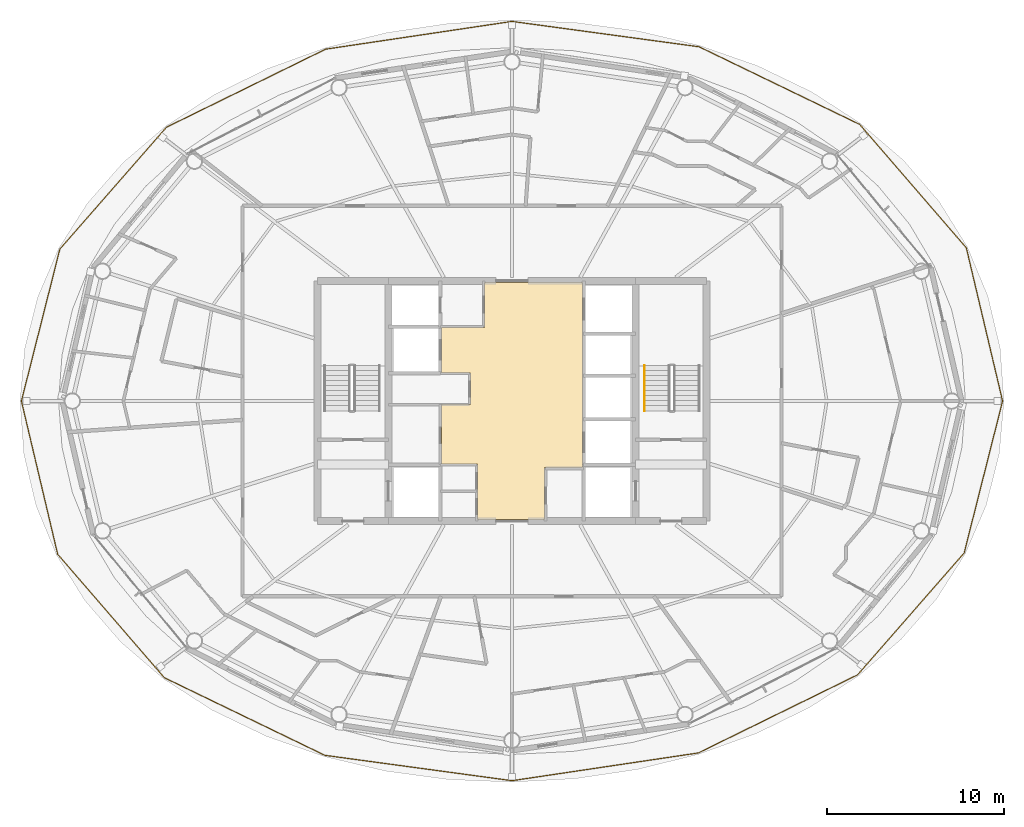
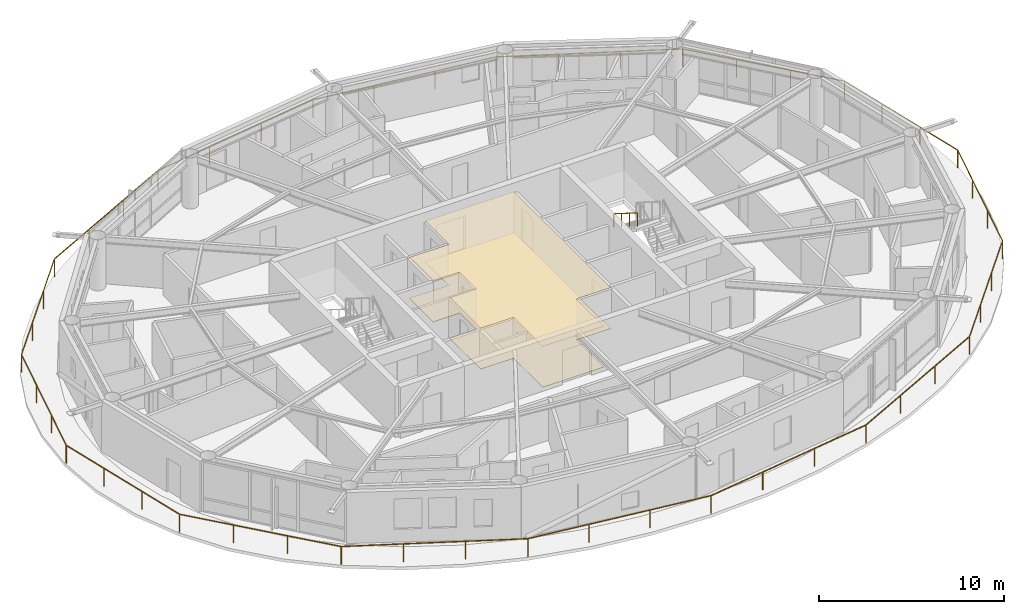
# One storey, part 22 of 23: 2 coverings, 2 railings.
"""IFC4 building model written with IfcOpenShell, lengths in metres."""

from ifc_helpers import new_model, si_unit, direction, frame, origin, origin_2d, place, context, subcontext, project, spatial, polyline, rectangle, outline, extrude, material, layer, layer_set, type_object, element, save


model = new_model("IFC4")

# Units and contexts
model_context = context("Model", 3, precision=1e-05, world=origin(), true_north=direction((0.0, 1.0)))
body_context = subcontext(model_context, "Body", "Model", "MODEL_VIEW")
ifc_project = project(units=[si_unit("LENGTHUNIT", "METRE"), si_unit("AREAUNIT", "SQUARE_METRE"), si_unit("VOLUMEUNIT", "CUBIC_METRE"), si_unit("PLANEANGLEUNIT", "RADIAN"), si_unit("MASSUNIT", "GRAM", prefix="KILO")], contexts=[model_context])

# Site, building, storey
site_placement = place(None, origin())
site = spatial("IfcSite", under=ifc_project, at=site_placement, CompositionType="ELEMENT")
building_placement = place(site_placement, origin())
building = spatial("IfcBuilding", under=site, at=building_placement, Name="Sarneth Arch Tower", CompositionType="ELEMENT")
storey_placement = place(building_placement, frame((0.0, 0.0, 220.800048828125)))
storey = spatial("IfcBuildingStorey", under=building, at=storey_placement, Name="L56", CompositionType="ELEMENT", Elevation=220.800048828125)

# Coverings
ifc_material_1 = material(Name="Perforated acoustic gypsum ceiling board")
ifc_layer_1 = layer(ifc_material_1, 0.02490234375)
ifc_layer_set_1 = layer_set([ifc_layer_1], Name="Perforated acoustic gypsum ceiling board")
covering_type_1 = type_object("IfcCoveringType", Name="COV-CEIL-GYP", PredefinedType="CEILING", material=ifc_layer_set_1)
covering_1_placement = place(storey_placement, frame((0.0, 0.0, 2.68994140625)))
element("IfcCovering", 1, at=covering_1_placement, inside=storey, type_object=covering_type_1, Name="L56 Lift lobby acoustic ceiling", PredefinedType="CEILING", context=body_context, shape_type="SweptSolid", body=[
    extrude(outline(polyline([(49.85009765625, 38.25), (49.85009765625, 35.300048828125), (46.050048828125, 35.300048828125), (46.050048828125, 38.449951171875), (44.0, 38.449951171875), (44.0, 41.800048828125), (45.64990234375, 41.800048828125), (45.64990234375, 43.580078125), (44.0, 43.580078125), (44.0, 46.14990234375), (46.449951171875, 46.14990234375), (46.449951171875, 48.699951171875), (52.0, 48.699951171875), (52.0, 38.25), (49.85009765625, 38.25)])), origin(), (0.0, 0.0, 1.0), 0.030029296875),
])
ifc_material_2 = material(Name="Honed granite stone flooring", Category="masonry")
ifc_layer_2 = layer(ifc_material_2, 0.030029296875)
ifc_layer_set_2 = layer_set([ifc_layer_2], Name="Honed granite stone flooring")
covering_type_2 = type_object("IfcCoveringType", Name="COV-FLR-STONE", PredefinedType="FLOORING", material=ifc_layer_set_2)
covering_2_placement = place(storey_placement, origin())
element("IfcCovering", 2, at=covering_2_placement, inside=storey, type_object=covering_type_2, Name="L56 Lift lobby granite flooring", PredefinedType="FLOORING", context=body_context, shape_type="SweptSolid", body=[
    extrude(outline(polyline([(49.85009765625, 38.25), (49.85009765625, 35.300048828125), (46.050048828125, 35.300048828125), (46.050048828125, 38.449951171875), (44.0, 38.449951171875), (44.0, 41.800048828125), (45.64990234375, 41.800048828125), (45.64990234375, 43.580078125), (44.0, 43.580078125), (44.0, 46.14990234375), (46.449951171875, 46.14990234375), (46.449951171875, 48.699951171875), (52.0, 48.699951171875), (52.0, 38.25), (49.85009765625, 38.25)])), origin(), (0.0, 0.0, 1.0), 0.030029296875),
])

# Railings
ifc_material_3 = material(Name="Laminated structural glass infill with Stainless Steel 316 top rail and posts", Category="steel")
railing_type_1 = type_object("IfcRailingType", Name="RAIL-BALC-1200", PredefinedType="BALUSTRADE", material=ifc_material_3)
railing_1_placement = place(storey_placement, frame((75.764892578125, 42.0, 0.0)))
element("IfcRailing", 3, at=railing_1_placement, inside=storey, type_object=railing_type_1, Name="L56 Helical balcony glass balustrade", PredefinedType="BALUSTRADE", context=body_context, shape_type="SweptSolid", body=[
    extrude(rectangle(XDim=0.048095703125, YDim=0.048095703125, at=origin_2d()), frame((0.0, 0.0, 1.17578125), z_axis=(-0.230297719561, 0.973120218865, 0.0), x_axis=(-0.973120218865, -0.230297719561, 0.0)), (0.0, 0.0, 1.0), 8.9091796875),
    extrude(rectangle(XDim=0.048095703125, YDim=0.048095703125, at=origin_2d()), frame((-2.0517578125, 8.669677734375, 1.17578125), z_axis=(-0.653765108362, 0.756697550603, 0.0), x_axis=(-0.756697550603, -0.653765108362, 0.0)), (0.0, 0.0, 1.0), 9.233642578125),
    extrude(rectangle(XDim=0.048095703125, YDim=0.048095703125, at=origin_2d()), frame((-8.08837890625, 15.65673828125, 1.17578125), z_axis=(-0.90031277699, 0.435243499191, 0.0), x_axis=(-0.435243499191, -0.90031277699, 0.0)), (0.0, 0.0, 1.0), 10.0927734375),
    extrude(rectangle(XDim=0.048095703125, YDim=0.048095703125, at=origin_2d()), frame((-17.175048828125, 20.049560546875, 1.17578125), z_axis=(-0.990927499257, 0.134397511945, 0.0), x_axis=(-0.134397511945, -0.990927499257, 0.0)), (0.0, 0.0, 1.0), 10.686767578125),
    extrude(rectangle(XDim=0.048095703125, YDim=0.048095703125, at=origin_2d()), frame((-27.764892578125, 21.48583984375, 1.17578125), z_axis=(-0.989077966916, -0.147393267696, 0.0), x_axis=(0.147393267696, -0.989077966916, 0.0)), (0.0, 0.0, 1.0), 10.663818359375),
    extrude(rectangle(XDim=0.048095703125, YDim=0.048095703125, at=origin_2d()), frame((-38.312255859375, 19.9140625, 1.17578125), z_axis=(-0.897846224346, -0.440309161189, 0.0), x_axis=(0.440309161189, -0.897846224346, 0.0)), (0.0, 0.0, 1.0), 10.033203125),
    extrude(rectangle(XDim=0.048095703125, YDim=0.048095703125, at=origin_2d()), frame((-47.320556640625, 15.496337890625, 1.17578125), z_axis=(-0.658470652881, -0.752606403969, 0.0), x_axis=(0.752606403969, -0.658470652881, 0.0)), (0.0, 0.0, 1.0), 9.162841796875),
    extrude(rectangle(XDim=0.048095703125, YDim=0.048095703125, at=origin_2d()), frame((-53.35400390625, 8.600341796875, 1.17578125), z_axis=(-0.245260794692, -0.969457138087, 0.0), x_axis=(0.969457138087, -0.245260794692, 0.0)), (0.0, 0.0, 1.0), 8.871337890625),
    extrude(rectangle(XDim=0.048095703125, YDim=0.048095703125, at=origin_2d()), frame((-55.52978515625, 0.0, 1.17578125), z_axis=(0.230297719561, -0.973120218865, 0.0), x_axis=(0.973120218865, 0.230297719561, 0.0)), (0.0, 0.0, 1.0), 8.9091796875),
    extrude(rectangle(XDim=0.048095703125, YDim=0.048095703125, at=origin_2d()), frame((-53.47802734375, -8.669677734375, 1.17578125), z_axis=(0.653765108362, -0.756697550603, 0.0), x_axis=(0.756697550603, 0.653765108362, 0.0)), (0.0, 0.0, 1.0), 9.233642578125),
    extrude(rectangle(XDim=0.048095703125, YDim=0.048095703125, at=origin_2d()), frame((-47.44140625, -15.65673828125, 1.17578125), z_axis=(0.90031277699, -0.435243499191, 0.0), x_axis=(0.435243499191, 0.90031277699, 0.0)), (0.0, 0.0, 1.0), 10.0927734375),
    extrude(rectangle(XDim=0.048095703125, YDim=0.048095703125, at=origin_2d()), frame((-38.354736328125, -20.049560546875, 1.17578125), z_axis=(0.990927499257, -0.134397511945, 0.0), x_axis=(0.134397511945, 0.990927499257, 0.0)), (0.0, 0.0, 1.0), 10.686767578125),
    extrude(rectangle(XDim=0.048095703125, YDim=0.048095703125, at=origin_2d()), frame((-27.764892578125, -21.48583984375, 1.17578125), z_axis=(0.989077966916, 0.147393267696, 0.0), x_axis=(-0.147393267696, 0.989077966916, 0.0)), (0.0, 0.0, 1.0), 10.663818359375),
    extrude(rectangle(XDim=0.048095703125, YDim=0.048095703125, at=origin_2d()), frame((-17.217529296875, -19.9140625, 1.17578125), z_axis=(0.897846224346, 0.440309161189, 0.0), x_axis=(-0.440309161189, 0.897846224346, 0.0)), (0.0, 0.0, 1.0), 10.033203125),
    extrude(rectangle(XDim=0.048095703125, YDim=0.048095703125, at=origin_2d()), frame((-8.209228515625, -15.496337890625, 1.17578125), z_axis=(0.658470652881, 0.752606403969, 0.0), x_axis=(-0.752606403969, 0.658470652881, 0.0)), (0.0, 0.0, 1.0), 9.162841796875),
    extrude(rectangle(XDim=0.048095703125, YDim=0.048095703125, at=origin_2d()), frame((-2.17578125, -8.600341796875, 1.17578125), z_axis=(0.245260794692, 0.969457138087, 0.0), x_axis=(-0.969457138087, 0.245260794692, 0.0)), (0.0, 0.0, 1.0), 8.871337890625),
    extrude(rectangle(XDim=0.0419921875, YDim=0.0419921875, at=origin_2d()), origin(), (0.0, 0.0, 1.0), 1.15185546875),
    extrude(rectangle(XDim=0.0419921875, YDim=0.0419921875, at=origin_2d()), frame((-0.683837890625, 2.889892578125, 0.0)), (0.0, 0.0, 1.0), 1.15185546875),
    extrude(rectangle(XDim=0.0419921875, YDim=0.0419921875, at=origin_2d()), frame((-1.367919921875, 5.77978515625, 0.0)), (0.0, 0.0, 1.0), 1.15185546875),
    extrude(rectangle(XDim=0.0419921875, YDim=0.0419921875, at=origin_2d()), frame((-2.0517578125, 8.669677734375, 0.0)), (0.0, 0.0, 1.0), 1.15185546875),
    extrude(rectangle(XDim=0.0419921875, YDim=0.0419921875, at=origin_2d()), frame((-4.06396484375, 10.998779296875, 0.0)), (0.0, 0.0, 1.0), 1.15185546875),
    extrude(rectangle(XDim=0.0419921875, YDim=0.0419921875, at=origin_2d()), frame((-6.076171875, 13.32763671875, 0.0)), (0.0, 0.0, 1.0), 1.15185546875),
    extrude(rectangle(XDim=0.0419921875, YDim=0.0419921875, at=origin_2d()), frame((-8.08837890625, 15.65673828125, 0.0)), (0.0, 0.0, 1.0), 1.15185546875),
    extrude(rectangle(XDim=0.0419921875, YDim=0.0419921875, at=origin_2d()), frame((-11.1171875, 17.12109375, 0.0)), (0.0, 0.0, 1.0), 1.15185546875),
    extrude(rectangle(XDim=0.0419921875, YDim=0.0419921875, at=origin_2d()), frame((-14.146240234375, 18.585205078125, 0.0)), (0.0, 0.0, 1.0), 1.15185546875),
    extrude(rectangle(XDim=0.0419921875, YDim=0.0419921875, at=origin_2d()), frame((-17.175048828125, 20.049560546875, 0.0)), (0.0, 0.0, 1.0), 1.15185546875),
    extrude(rectangle(XDim=0.0419921875, YDim=0.0419921875, at=origin_2d()), frame((-20.705078125, 20.5283203125, 0.0)), (0.0, 0.0, 1.0), 1.15185546875),
    extrude(rectangle(XDim=0.0419921875, YDim=0.0419921875, at=origin_2d()), frame((-24.23486328125, 21.007080078125, 0.0)), (0.0, 0.0, 1.0), 1.15185546875),
    extrude(rectangle(XDim=0.0419921875, YDim=0.0419921875, at=origin_2d()), frame((-27.764892578125, 21.48583984375, 0.0)), (0.0, 0.0, 1.0), 1.15185546875),
    extrude(rectangle(XDim=0.0419921875, YDim=0.0419921875, at=origin_2d()), frame((-31.28076171875, 20.9619140625, 0.0)), (0.0, 0.0, 1.0), 1.15185546875),
    extrude(rectangle(XDim=0.0419921875, YDim=0.0419921875, at=origin_2d()), frame((-34.79638671875, 20.43798828125, 0.0)), (0.0, 0.0, 1.0), 1.15185546875),
    extrude(rectangle(XDim=0.0419921875, YDim=0.0419921875, at=origin_2d()), frame((-38.312255859375, 19.9140625, 0.0)), (0.0, 0.0, 1.0), 1.15185546875),
    extrude(rectangle(XDim=0.0419921875, YDim=0.0419921875, at=origin_2d()), frame((-41.31494140625, 18.44140625, 0.0)), (0.0, 0.0, 1.0), 1.15185546875),
    extrude(rectangle(XDim=0.0419921875, YDim=0.0419921875, at=origin_2d()), frame((-44.31787109375, 16.968994140625, 0.0)), (0.0, 0.0, 1.0), 1.15185546875),
    extrude(rectangle(XDim=0.0419921875, YDim=0.0419921875, at=origin_2d()), frame((-47.320556640625, 15.496337890625, 0.0)), (0.0, 0.0, 1.0), 1.15185546875),
    extrude(rectangle(XDim=0.0419921875, YDim=0.0419921875, at=origin_2d()), frame((-49.331787109375, 13.19775390625, 0.0)), (0.0, 0.0, 1.0), 1.15185546875),
    extrude(rectangle(XDim=0.0419921875, YDim=0.0419921875, at=origin_2d()), frame((-51.3427734375, 10.89892578125, 0.0)), (0.0, 0.0, 1.0), 1.15185546875),
    extrude(rectangle(XDim=0.0419921875, YDim=0.0419921875, at=origin_2d()), frame((-53.35400390625, 8.600341796875, 0.0)), (0.0, 0.0, 1.0), 1.15185546875),
    extrude(rectangle(XDim=0.0419921875, YDim=0.0419921875, at=origin_2d()), frame((-54.079345703125, 5.733642578125, 0.0)), (0.0, 0.0, 1.0), 1.15185546875),
    extrude(rectangle(XDim=0.0419921875, YDim=0.0419921875, at=origin_2d()), frame((-54.804443359375, 2.86669921875, 0.0)), (0.0, 0.0, 1.0), 1.15185546875),
    extrude(rectangle(XDim=0.0419921875, YDim=0.0419921875, at=origin_2d()), frame((-55.52978515625, 0.0, 0.0)), (0.0, 0.0, 1.0), 1.15185546875),
    extrude(rectangle(XDim=0.0419921875, YDim=0.0419921875, at=origin_2d()), frame((-54.845947265625, -2.889892578125, 0.0)), (0.0, 0.0, 1.0), 1.15185546875),
    extrude(rectangle(XDim=0.0419921875, YDim=0.0419921875, at=origin_2d()), frame((-54.161865234375, -5.77978515625, 0.0)), (0.0, 0.0, 1.0), 1.15185546875),
    extrude(rectangle(XDim=0.0419921875, YDim=0.0419921875, at=origin_2d()), frame((-53.47802734375, -8.669677734375, 0.0)), (0.0, 0.0, 1.0), 1.15185546875),
    extrude(rectangle(XDim=0.0419921875, YDim=0.0419921875, at=origin_2d()), frame((-51.4658203125, -10.998779296875, 0.0)), (0.0, 0.0, 1.0), 1.15185546875),
    extrude(rectangle(XDim=0.0419921875, YDim=0.0419921875, at=origin_2d()), frame((-49.45361328125, -13.32763671875, 0.0)), (0.0, 0.0, 1.0), 1.15185546875),
    extrude(rectangle(XDim=0.0419921875, YDim=0.0419921875, at=origin_2d()), frame((-47.44140625, -15.65673828125, 0.0)), (0.0, 0.0, 1.0), 1.15185546875),
    extrude(rectangle(XDim=0.0419921875, YDim=0.0419921875, at=origin_2d()), frame((-44.41259765625, -17.12109375, 0.0)), (0.0, 0.0, 1.0), 1.15185546875),
    extrude(rectangle(XDim=0.0419921875, YDim=0.0419921875, at=origin_2d()), frame((-41.383544921875, -18.585205078125, 0.0)), (0.0, 0.0, 1.0), 1.15185546875),
    extrude(rectangle(XDim=0.0419921875, YDim=0.0419921875, at=origin_2d()), frame((-38.354736328125, -20.049560546875, 0.0)), (0.0, 0.0, 1.0), 1.15185546875),
    extrude(rectangle(XDim=0.0419921875, YDim=0.0419921875, at=origin_2d()), frame((-34.82470703125, -20.5283203125, 0.0)), (0.0, 0.0, 1.0), 1.15185546875),
    extrude(rectangle(XDim=0.0419921875, YDim=0.0419921875, at=origin_2d()), frame((-31.294921875, -21.007080078125, 0.0)), (0.0, 0.0, 1.0), 1.15185546875),
    extrude(rectangle(XDim=0.0419921875, YDim=0.0419921875, at=origin_2d()), frame((-27.764892578125, -21.48583984375, 0.0)), (0.0, 0.0, 1.0), 1.15185546875),
    extrude(rectangle(XDim=0.0419921875, YDim=0.0419921875, at=origin_2d()), frame((-24.2490234375, -20.9619140625, 0.0)), (0.0, 0.0, 1.0), 1.15185546875),
    extrude(rectangle(XDim=0.0419921875, YDim=0.0419921875, at=origin_2d()), frame((-20.7333984375, -20.43798828125, 0.0)), (0.0, 0.0, 1.0), 1.15185546875),
    extrude(rectangle(XDim=0.0419921875, YDim=0.0419921875, at=origin_2d()), frame((-17.217529296875, -19.9140625, 0.0)), (0.0, 0.0, 1.0), 1.15185546875),
    extrude(rectangle(XDim=0.0419921875, YDim=0.0419921875, at=origin_2d()), frame((-14.21484375, -18.44140625, 0.0)), (0.0, 0.0, 1.0), 1.15185546875),
    extrude(rectangle(XDim=0.0419921875, YDim=0.0419921875, at=origin_2d()), frame((-11.2119140625, -16.968994140625, 0.0)), (0.0, 0.0, 1.0), 1.15185546875),
    extrude(rectangle(XDim=0.0419921875, YDim=0.0419921875, at=origin_2d()), frame((-8.209228515625, -15.496337890625, 0.0)), (0.0, 0.0, 1.0), 1.15185546875),
    extrude(rectangle(XDim=0.0419921875, YDim=0.0419921875, at=origin_2d()), frame((-6.197998046875, -13.19775390625, 0.0)), (0.0, 0.0, 1.0), 1.15185546875),
    extrude(rectangle(XDim=0.0419921875, YDim=0.0419921875, at=origin_2d()), frame((-4.18701171875, -10.89892578125, 0.0)), (0.0, 0.0, 1.0), 1.15185546875),
    extrude(rectangle(XDim=0.0419921875, YDim=0.0419921875, at=origin_2d()), frame((-2.17578125, -8.600341796875, 0.0)), (0.0, 0.0, 1.0), 1.15185546875),
    extrude(rectangle(XDim=0.0419921875, YDim=0.0419921875, at=origin_2d()), frame((-1.450439453125, -5.733642578125, 0.0)), (0.0, 0.0, 1.0), 1.15185546875),
    extrude(rectangle(XDim=0.0419921875, YDim=0.0419921875, at=origin_2d()), frame((-0.725341796875, -2.86669921875, 0.0)), (0.0, 0.0, 1.0), 1.15185546875),
])
ifc_material_4 = material(Name="Brushed Stainless Steel 304 tubular handrail", Category="steel")
railing_type_2 = type_object("IfcRailingType", Name="RAIL-HANDRAIL-900", PredefinedType="HANDRAIL", material=ifc_material_4)
railing_2_placement = place(storey_placement, frame((55.5, 44.014892578125, 1.97998046875)))
element("IfcRailing", 4, at=railing_2_placement, inside=storey, type_object=railing_type_2, Name="L56 ST-2 stair handrail 2", PredefinedType="HANDRAIL", context=body_context, shape_type="SweptSolid", body=[
    extrude(rectangle(XDim=0.048095703125, YDim=0.048095703125, at=origin_2d()), frame((0.0, 0.0, 0.8759765625), z_axis=(0.0, -0.845502289212, 0.533971796014), x_axis=(1.0, 0.0, 0.0)), (0.0, 0.0, 1.0), 3.03369140625),
    extrude(rectangle(XDim=0.0419921875, YDim=0.0419921875, at=origin_2d()), origin(), (0.0, 0.0, 1.0), 0.851806640625),
    extrude(rectangle(XDim=0.0419921875, YDim=0.0419921875, at=origin_2d()), frame((0.0, -0.85498046875, 0.5400390625)), (0.0, 0.0, 1.0), 0.851806640625),
    extrude(rectangle(XDim=0.0419921875, YDim=0.0419921875, at=origin_2d()), frame((0.0, -1.7099609375, 1.079833984375)), (0.0, 0.0, 1.0), 0.851806640625),
    extrude(rectangle(XDim=0.0419921875, YDim=0.0419921875, at=origin_2d()), frame((0.0, -2.56494140625, 1.619873046875)), (0.0, 0.0, 1.0), 0.851806640625),
])

save(model, "model.ifc")
